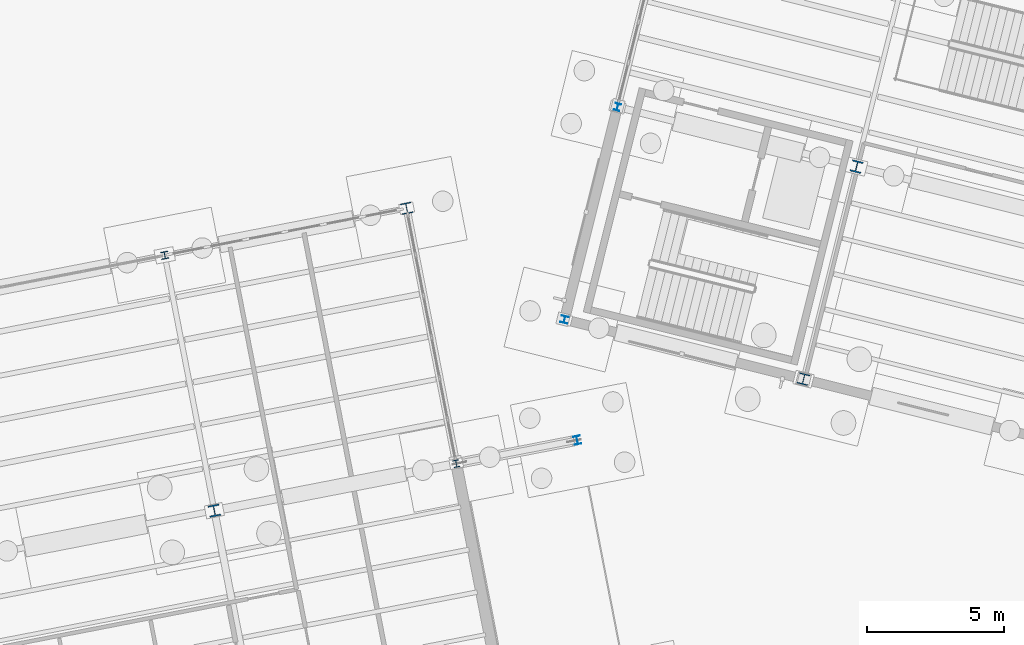
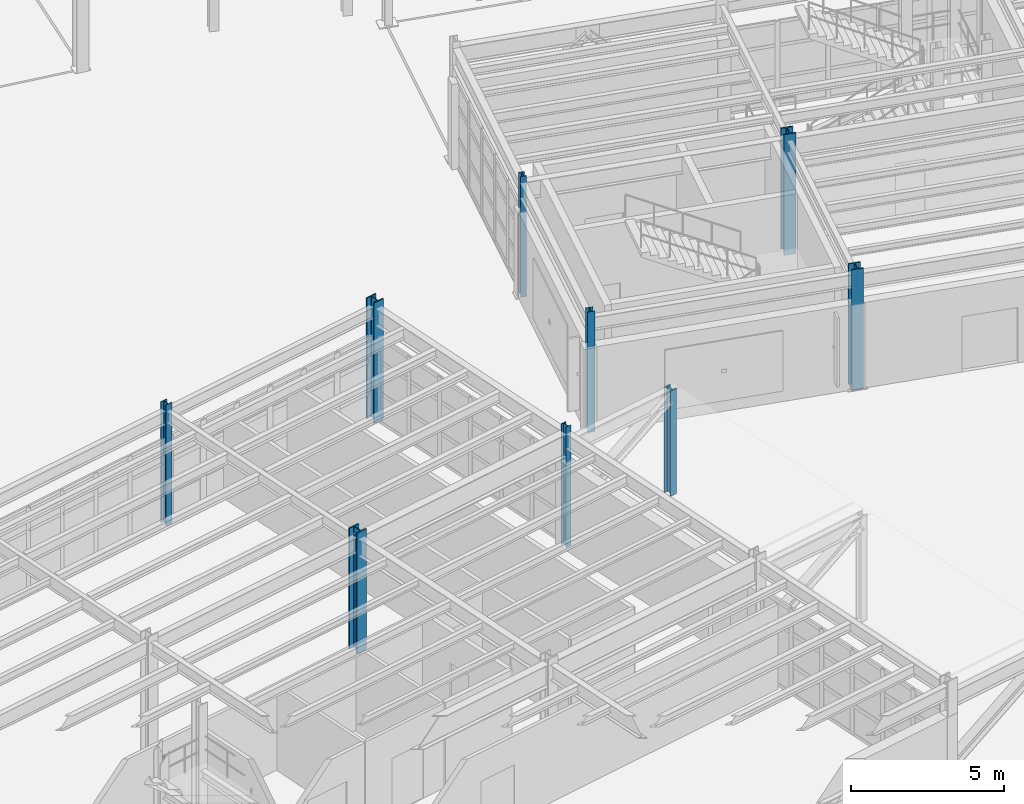
# One storey, part 13 of 108: 9 columns.
"""IFC4 building model written with IfcOpenShell, lengths in metres."""

from ifc_helpers import new_model, si_unit, direction, frame, origin, origin_2d, place, context, subcontext, project, spatial, i_section, extrude, material, material_profile, profile_set, type_object, element, save


model = new_model("IFC4")

# Units and contexts
model_context = context("Model", 3, precision=1e-05, world=origin(), true_north=direction((0.0, 1.0)))
body_context = subcontext(model_context, "Body", "Model", "MODEL_VIEW")
ifc_project = project(units=[si_unit("LENGTHUNIT", "METRE"), si_unit("AREAUNIT", "SQUARE_METRE"), si_unit("VOLUMEUNIT", "CUBIC_METRE"), si_unit("PLANEANGLEUNIT", "RADIAN"), si_unit("MASSUNIT", "GRAM", prefix="KILO")], contexts=[model_context])

# Site, building, storey
site_placement = place(None, origin())
site = spatial("IfcSite", under=ifc_project, at=site_placement, CompositionType="ELEMENT")
building_placement = place(site_placement, origin())
building = spatial("IfcBuilding", under=site, at=building_placement, Name="Vireo Bluff Cable Station", CompositionType="ELEMENT")
storey_placement = place(building_placement, origin())
storey = spatial("IfcBuildingStorey", under=building, at=storey_placement, Name="L00", CompositionType="ELEMENT", Elevation=0.0)

# Columns
ifc_material = material(Name="Steel ASTM A992 Gr. 50", Category="steel")
ifc_material_profile_1 = material_profile(ifc_material, i_section(OverallWidth=0.408935546875, OverallDepth=0.424072265625, WebThickness=0.03271484375, FlangeThickness=0.052490234375, FilletRadius=0.014892578125, at=origin_2d()), Name="W14X283")
ifc_profile_set_1 = profile_set([ifc_material_profile_1], Name="Steel ASTM A992 Gr. 50")
column_type_1 = type_object("IfcColumnType", Name="COL-W14X283", PredefinedType="COLUMN", material=ifc_profile_set_1)
for number, where, z_axis, x_axis, name in (
    (1, (64.66796875, 43.5849609375, 0.0), (0.0, 0.0, 1.0), (0.970295726276, -0.2419218956, 0.0), "V1 L00 column 26"),
    (2, (41.213134765625, 31.02001953125, 0.0), (0.0, 0.0, 1.0), (0.981627183448, 0.190808995377, 0.0), "V5 L00 column 378"),
):
    element("IfcColumn", number, at=place(storey_placement, frame(where, z_axis=z_axis, x_axis=x_axis)), inside=storey, type_object=column_type_1, Name=name, PredefinedType="COLUMN", context=body_context, shape_type="SweptSolid", body=[
        extrude(i_section(OverallWidth=0.408935546875, OverallDepth=0.424072265625, WebThickness=0.03271484375, FlangeThickness=0.052490234375, FilletRadius=0.014892578125, at=origin_2d()), origin(), (0.0, 0.0, 1.0), 4.800048828125),
    ])
ifc_material_profile_2 = material_profile(ifc_material, i_section(OverallWidth=0.40087890625, OverallDepth=0.39892578125, WebThickness=0.02490234375, FlangeThickness=0.03955078125, FilletRadius=0.014892578125, at=origin_2d()), Name="W14X211")
ifc_profile_set_2 = profile_set([ifc_material_profile_2], Name="Steel ASTM A992 Gr. 50")
column_type_2 = type_object("IfcColumnType", Name="ECOL-W14X211", PredefinedType="COLUMN", material=ifc_profile_set_2)
for number, where, z_axis, x_axis, name in (
    (3, (62.732666015625, 35.82275390625, 0.0), (0.0, 0.0, 1.0), (0.970295726276, -0.2419218956, 0.0), "V1 L00 column 21"),
    (4, (48.235107421875, 42.062744140625, 0.0), (0.0, 0.0, 1.0), (0.981627183448, 0.190808995377, 0.0), "V5 L00 column 385"),
):
    element("IfcColumn", number, at=place(storey_placement, frame(where, z_axis=z_axis, x_axis=x_axis)), inside=storey, type_object=column_type_2, Name=name, PredefinedType="COLUMN", context=body_context, shape_type="SweptSolid", body=[
        extrude(i_section(OverallWidth=0.40087890625, OverallDepth=0.39892578125, WebThickness=0.02490234375, FlangeThickness=0.03955078125, FilletRadius=0.014892578125, at=origin_2d()), origin(), (0.0, 0.0, 1.0), 4.800048828125),
    ])
ifc_material_profile_3 = material_profile(ifc_material, i_section(OverallWidth=0.2041015625, OverallDepth=0.257080078125, WebThickness=0.0087890625, FlangeThickness=0.015625, FilletRadius=0.009033203125, at=origin_2d()), Name="W10X45")
ifc_profile_set_3 = profile_set([ifc_material_profile_3], Name="Steel ASTM A992 Gr. 50")
column_type_3 = type_object("IfcColumnType", Name="PIL-W10X45", PredefinedType="PILASTER", material=ifc_profile_set_3)
for number, where, z_axis, x_axis, name in (
    (5, (55.935302734375, 45.762451171875, 0.0), (0.0, 0.0, 1.0), (0.970295726276, -0.2419218956, 0.0), "V1 L00 column 6"),
    (6, (50.0478515625, 32.7373046875, 0.0), (0.0, 0.0, 1.0), (0.981627183448, 0.190808995377, 0.0), "V5 L00 column 384"),
):
    element("IfcColumn", number, at=place(storey_placement, frame(where, z_axis=z_axis, x_axis=x_axis)), inside=storey, type_object=column_type_3, Name=name, PredefinedType="PILASTER", context=body_context, shape_type="SweptSolid", body=[
        extrude(i_section(OverallWidth=0.2041015625, OverallDepth=0.257080078125, WebThickness=0.0087890625, FlangeThickness=0.015625, FilletRadius=0.009033203125, at=origin_2d()), origin(), (0.0, 0.0, 1.0), 4.800048828125),
    ])
ifc_material_profile_4 = material_profile(ifc_material, i_section(OverallWidth=0.2548828125, OverallDepth=0.256103515625, WebThickness=0.009521484375, FlangeThickness=0.015625, FilletRadius=0.009033203125, at=origin_2d()), Name="W10X54")
ifc_profile_set_4 = profile_set([ifc_material_profile_4], Name="Steel ASTM A992 Gr. 50")
column_type_4 = type_object("IfcColumnType", Name="PIL-W10X54", PredefinedType="PILASTER", material=ifc_profile_set_4)
column_1_placement = place(storey_placement, frame((54.0, 38.0, 0.0), z_axis=(0.0, 0.0, 1.0), x_axis=(0.970295726276, -0.2419218956, 0.0)))
element("IfcColumn", 7, at=column_1_placement, inside=storey, type_object=column_type_4, Name="V1 L00 column 1", PredefinedType="PILASTER", context=body_context, shape_type="SweptSolid", body=[
    extrude(i_section(OverallWidth=0.2548828125, OverallDepth=0.256103515625, WebThickness=0.009521484375, FlangeThickness=0.015625, FilletRadius=0.009033203125, at=origin_2d()), origin(), (0.0, 0.0, 1.0), 4.800048828125),
])
ifc_material_profile_5 = material_profile(ifc_material, i_section(OverallWidth=0.257080078125, OverallDepth=0.263916015625, WebThickness=0.011962890625, FlangeThickness=0.01953125, FilletRadius=0.009033203125, at=origin_2d()), Name="W10X68")
ifc_profile_set_5 = profile_set([ifc_material_profile_5], Name="Steel ASTM A992 Gr. 50")
column_type_5 = type_object("IfcColumnType", Name="PIL-W10X68", PredefinedType="PILASTER", material=ifc_profile_set_5)
column_2_placement = place(storey_placement, frame((39.400634765625, 40.345458984375, 0.0), z_axis=(0.0, 0.0, 1.0), x_axis=(0.981627183448, 0.190808995377, 0.0)))
element("IfcColumn", 8, at=column_2_placement, inside=storey, type_object=column_type_5, Name="V5 L00 column 380", PredefinedType="PILASTER", context=body_context, shape_type="SweptSolid", body=[
    extrude(i_section(OverallWidth=0.257080078125, OverallDepth=0.263916015625, WebThickness=0.011962890625, FlangeThickness=0.01953125, FilletRadius=0.009033203125, at=origin_2d()), origin(), (0.0, 0.0, 1.0), 4.800048828125),
])
ifc_material_profile_6 = material_profile(ifc_material, i_section(OverallWidth=0.25390625, OverallDepth=0.305908203125, WebThickness=0.0087890625, FlangeThickness=0.0146484375, FilletRadius=0.010986328125, at=origin_2d()), Name="W12X53")
ifc_profile_set_6 = profile_set([ifc_material_profile_6], Name="Steel ASTM A992 Gr. 50")
column_type_6 = type_object("IfcColumnType", Name="PIL-W12X53", PredefinedType="PILASTER", material=ifc_profile_set_6)
column_3_placement = place(storey_placement, frame((54.465087890625, 33.595947265625, 0.0), z_axis=(0.0, 0.0, 1.0), x_axis=(0.981627183448, 0.190808995377, 0.0)))
element("IfcColumn", 9, at=column_3_placement, inside=storey, type_object=column_type_6, Name="Plaza canopy colonnade post 3", PredefinedType="PILASTER", context=body_context, shape_type="SweptSolid", body=[
    extrude(i_section(OverallWidth=0.25390625, OverallDepth=0.305908203125, WebThickness=0.0087890625, FlangeThickness=0.0146484375, FilletRadius=0.010986328125, at=origin_2d()), origin(), (0.0, 0.0, 1.0), 4.199951171875),
])

save(model, "model.ifc")
